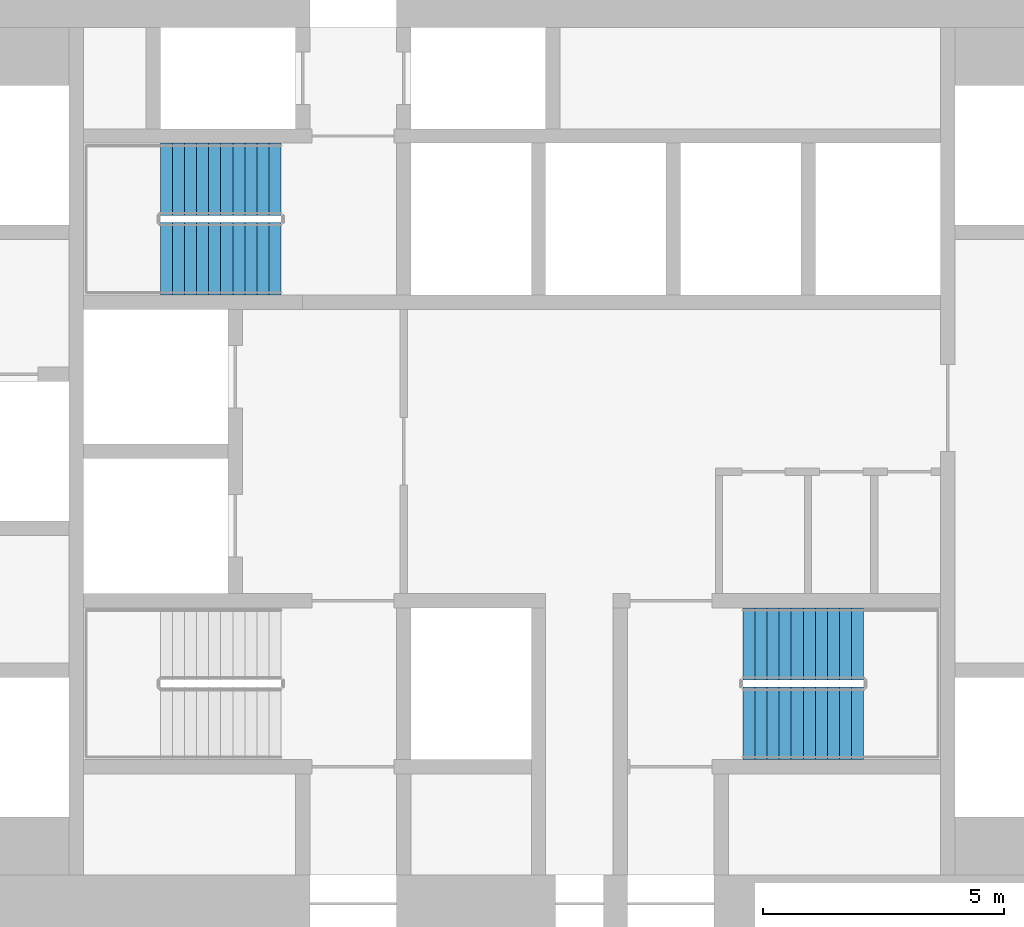
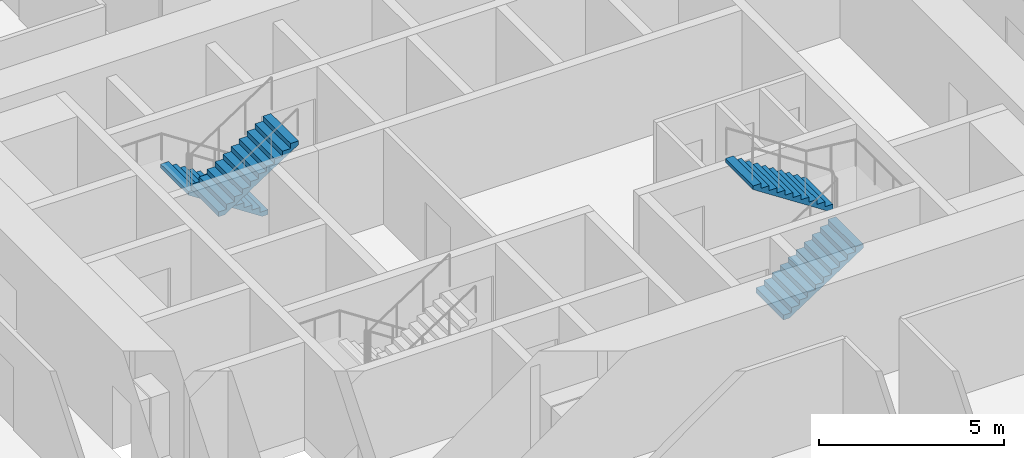
# One storey, part 11 of 12: 4 stair flights, 2 elements without a shape of their own.
"""IFC4 building model written with IfcOpenShell, lengths in metres."""

from ifc_helpers import new_model, si_unit, direction, frame, origin, place, context, subcontext, project, spatial, polyline, outline, extrude, material, type_object, element, aggregate, save


model = new_model("IFC4")

# Units and contexts
model_context = context("Model", 3, precision=1e-05, world=origin(), true_north=direction((0.0, 1.0)))
body_context = subcontext(model_context, "Body", "Model", "MODEL_VIEW")
ifc_project = project(units=[si_unit("LENGTHUNIT", "METRE"), si_unit("AREAUNIT", "SQUARE_METRE"), si_unit("VOLUMEUNIT", "CUBIC_METRE"), si_unit("PLANEANGLEUNIT", "RADIAN"), si_unit("MASSUNIT", "GRAM", prefix="KILO")], contexts=[model_context])

# Site, building, storey
site_placement = place(None, origin())
site = spatial("IfcSite", under=ifc_project, at=site_placement, CompositionType="ELEMENT")
building_placement = place(site_placement, origin())
building = spatial("IfcBuilding", under=site, at=building_placement, Name="Tracery Tower", CompositionType="ELEMENT")
storey_placement = place(building_placement, frame((0.0, 0.0, 82.199951171875)))
storey = spatial("IfcBuildingStorey", under=building, at=storey_placement, Name="L20", CompositionType="ELEMENT", Elevation=82.199951171875)

# Stair, stair flights
ifc_material_1 = material(Name="Concrete C32/40", Category="concrete")
stair_type = type_object("IfcStairType", Name="Core stair 22 risers", PredefinedType="HALF_TURN_STAIR", material=ifc_material_1)
stair_1_placement = place(storey_placement, origin())
stair_1 = element("IfcStair", 1, at=stair_1_placement, inside=storey, type_object=stair_type, Name="L20 stair ST3", PredefinedType="HALF_TURN_STAIR")
ifc_material_2 = material(Name="Concrete C32/40", Category="concrete")
stair_flight_type = type_object("IfcStairFlightType", Name="Core stair flight 11 risers", PredefinedType="STRAIGHT", material=ifc_material_2)
stair_flight_1_placement = place(storey_placement, frame((-4.800048828125, 5.64990234375, 0.0), z_axis=(0.0, 0.0, 1.0), x_axis=(-1.0, 0.0, 0.0)))
stair_flight_1 = element("IfcStairFlight", 2, at=stair_flight_1_placement, type_object=stair_flight_type, Name="ST3 flight 1", NumberOfRisers=11, NumberOfTreads=10, PredefinedType="STRAIGHT", RiserHeight=0.163636364, TreadLength=0.25, context=body_context, shape_type="SweptSolid", body=[
    extrude(outline(polyline([(0.0, 0.0), (0.0, 0.002685546875), (0.0, 0.00537109375), (0.0, 0.008056640625), (0.0, 0.0107421875), (0.0, 0.013427734375), (0.0, 0.01611328125), (0.0, 0.018798828125), (0.0, 0.021484375), (0.0, 0.024169921875), (0.0, 0.02685546875), (0.0, 0.029541015625), (0.0, 0.0322265625), (0.0, 0.034912109375), (0.0, 0.03759765625), (0.0, 0.040283203125), (0.0, 0.04296875), (0.0, 0.045654296875), (0.0, 0.04833984375), (0.0, 0.051025390625), (0.0, 0.0537109375), (0.0, 0.056396484375), (0.0, 0.05908203125), (0.0, 0.061767578125), (0.0, 0.064453125), (0.0, 0.067138671875), (0.0, 0.06982421875), (0.0, 0.072509765625), (0.0, 0.0751953125), (0.0, 0.077880859375), (0.0, 0.08056640625), (0.0, 0.083251953125), (0.0, 0.0859375), (0.0, 0.088623046875), (0.0, 0.09130859375), (0.0, 0.093994140625), (0.0, 0.0966796875), (0.0, 0.099365234375), (0.0, 0.10205078125), (0.0, 0.104736328125), (0.0, 0.107421875), (0.0, 0.10986328125), (0.0, 0.112548828125), (0.0, 0.115234375), (0.0, 0.117919921875), (0.0, 0.12060546875), (0.0, 0.123291015625), (0.0, 0.1259765625), (0.0, 0.128662109375), (0.0, 0.13134765625), (0.0, 0.134033203125), (0.0, 0.13671875), (0.0, 0.139404296875), (0.0, 0.14208984375), (0.0, 0.144775390625), (0.0, 0.1474609375), (0.0, 0.150146484375), (0.0, 0.15283203125), (0.0, 0.155517578125), (0.0, 0.158203125), (0.0, 0.160888671875), (0.0, 0.16357421875), (0.25, 0.16357421875), (0.25, 0.327392578125), (0.5, 0.327392578125), (0.5, 0.490966796875), (0.75, 0.490966796875), (0.75, 0.654541015625), (1.0, 0.654541015625), (1.0, 0.818115234375), (1.25, 0.818115234375), (1.25, 0.98193359375), (1.5, 0.98193359375), (1.5, 1.1455078125), (1.75, 1.1455078125), (1.75, 1.30908203125), (2.0, 1.30908203125), (2.0, 1.47265625), (2.25, 1.47265625), (2.25, 1.636474609375), (2.5, 1.636474609375), (2.5, 1.634521484375), (2.5, 1.63232421875), (2.5, 1.63037109375), (2.5, 1.62841796875), (2.5, 1.62646484375), (2.5, 1.62451171875), (2.5, 1.62255859375), (2.5, 1.62060546875), (2.5, 1.61865234375), (2.5, 1.61669921875), (2.5, 1.61474609375), (2.5, 1.61279296875), (2.5, 1.61083984375), (2.5, 1.60888671875), (2.5, 1.60693359375), (2.5, 1.60498046875), (2.5, 1.60302734375), (2.5, 1.60107421875), (2.5, 1.59912109375), (2.5, 1.59716796875), (2.5, 1.59521484375), (2.5, 1.59326171875), (2.5, 1.59130859375), (2.5, 1.58935546875), (2.5, 1.58740234375), (2.5, 1.58544921875), (2.5, 1.58349609375), (2.5, 1.58154296875), (2.5, 1.57958984375), (2.5, 1.57763671875), (2.5, 1.57568359375), (2.5, 1.573486328125), (2.5, 1.571533203125), (2.5, 1.569580078125), (2.5, 1.567626953125), (2.5, 1.565673828125), (2.5, 1.563720703125), (2.5, 1.561767578125), (2.5, 1.559814453125), (2.5, 1.557861328125), (2.5, 1.555908203125), (2.5, 1.553955078125), (2.5, 1.552001953125), (2.5, 1.550048828125), (2.5, 1.548095703125), (2.5, 1.546142578125), (2.5, 1.544189453125), (2.5, 1.542236328125), (2.5, 1.540283203125), (2.5, 1.538330078125), (2.5, 1.536376953125), (2.5, 1.534423828125), (2.5, 1.532470703125), (2.5, 1.530517578125), (2.5, 1.528564453125), (2.5, 1.526611328125), (2.5, 1.524658203125), (2.5, 1.522705078125), (2.5, 1.520751953125), (2.5, 1.518798828125), (2.5, 1.516845703125), (0.182861328125, 0.0), (0.0, 0.0)])), frame((0.0, 0.75, 0.0), z_axis=(0.0, -1.0, 0.0), x_axis=(1.0, 0.0, 0.0)), (0.0, 0.0, 1.0), 1.5),
])
stair_flight_2_placement = place(storey_placement, frame((-7.300048828125, 4.0, 1.800048828125), z_axis=(0.0, 0.0, 1.0), x_axis=(1.0, 0.0, 0.0)))
stair_flight_2 = element("IfcStairFlight", 3, at=stair_flight_2_placement, type_object=stair_flight_type, Name="ST3 flight 2", NumberOfRisers=11, NumberOfTreads=10, PredefinedType="STRAIGHT", RiserHeight=0.163636364, TreadLength=0.25, context=body_context, shape_type="SweptSolid", body=[
    extrude(outline(polyline([(0.0, 0.0), (0.0, 0.002685546875), (0.0, 0.00537109375), (0.0, 0.008056640625), (0.0, 0.0107421875), (0.0, 0.013427734375), (0.0, 0.01611328125), (0.0, 0.018798828125), (0.0, 0.021484375), (0.0, 0.024169921875), (0.0, 0.02685546875), (0.0, 0.029541015625), (0.0, 0.0322265625), (0.0, 0.034912109375), (0.0, 0.03759765625), (0.0, 0.040283203125), (0.0, 0.04296875), (0.0, 0.045654296875), (0.0, 0.04833984375), (0.0, 0.051025390625), (0.0, 0.0537109375), (0.0, 0.056396484375), (0.0, 0.05908203125), (0.0, 0.061767578125), (0.0, 0.064453125), (0.0, 0.067138671875), (0.0, 0.06982421875), (0.0, 0.072509765625), (0.0, 0.0751953125), (0.0, 0.077880859375), (0.0, 0.08056640625), (0.0, 0.083251953125), (0.0, 0.0859375), (0.0, 0.088623046875), (0.0, 0.09130859375), (0.0, 0.093994140625), (0.0, 0.0966796875), (0.0, 0.099365234375), (0.0, 0.10205078125), (0.0, 0.104736328125), (0.0, 0.107421875), (0.0, 0.10986328125), (0.0, 0.112548828125), (0.0, 0.115234375), (0.0, 0.117919921875), (0.0, 0.12060546875), (0.0, 0.123291015625), (0.0, 0.1259765625), (0.0, 0.128662109375), (0.0, 0.13134765625), (0.0, 0.134033203125), (0.0, 0.13671875), (0.0, 0.139404296875), (0.0, 0.14208984375), (0.0, 0.144775390625), (0.0, 0.1474609375), (0.0, 0.150146484375), (0.0, 0.15283203125), (0.0, 0.155517578125), (0.0, 0.158203125), (0.0, 0.160888671875), (0.0, 0.16357421875), (0.25, 0.16357421875), (0.25, 0.327392578125), (0.5, 0.327392578125), (0.5, 0.490966796875), (0.75, 0.490966796875), (0.75, 0.654541015625), (1.0, 0.654541015625), (1.0, 0.818115234375), (1.25, 0.818115234375), (1.25, 0.98193359375), (1.5, 0.98193359375), (1.5, 1.1455078125), (1.75, 1.1455078125), (1.75, 1.30908203125), (2.0, 1.30908203125), (2.0, 1.47265625), (2.25, 1.47265625), (2.25, 1.636474609375), (2.5, 1.636474609375), (2.5, 1.634521484375), (2.5, 1.63232421875), (2.5, 1.63037109375), (2.5, 1.62841796875), (2.5, 1.62646484375), (2.5, 1.62451171875), (2.5, 1.62255859375), (2.5, 1.62060546875), (2.5, 1.61865234375), (2.5, 1.61669921875), (2.5, 1.61474609375), (2.5, 1.61279296875), (2.5, 1.61083984375), (2.5, 1.60888671875), (2.5, 1.60693359375), (2.5, 1.60498046875), (2.5, 1.60302734375), (2.5, 1.60107421875), (2.5, 1.59912109375), (2.5, 1.59716796875), (2.5, 1.59521484375), (2.5, 1.59326171875), (2.5, 1.59130859375), (2.5, 1.58935546875), (2.5, 1.58740234375), (2.5, 1.58544921875), (2.5, 1.58349609375), (2.5, 1.58154296875), (2.5, 1.57958984375), (2.5, 1.57763671875), (2.5, 1.57568359375), (2.5, 1.573486328125), (2.5, 1.571533203125), (2.5, 1.569580078125), (2.5, 1.567626953125), (2.5, 1.565673828125), (2.5, 1.563720703125), (2.5, 1.561767578125), (2.5, 1.559814453125), (2.5, 1.557861328125), (2.5, 1.555908203125), (2.5, 1.553955078125), (2.5, 1.552001953125), (2.5, 1.550048828125), (2.5, 1.548095703125), (2.5, 1.546142578125), (2.5, 1.544189453125), (2.5, 1.542236328125), (2.5, 1.540283203125), (2.5, 1.538330078125), (2.5, 1.536376953125), (2.5, 1.534423828125), (2.5, 1.532470703125), (2.5, 1.530517578125), (2.5, 1.528564453125), (2.5, 1.526611328125), (2.5, 1.524658203125), (2.5, 1.522705078125), (2.5, 1.520751953125), (2.5, 1.518798828125), (2.5, 1.516845703125), (0.182861328125, 0.0), (0.0, 0.0)])), frame((0.0, 0.75, 0.0), z_axis=(0.0, -1.0, 0.0), x_axis=(1.0, 0.0, 0.0)), (0.0, 0.0, 1.0), 1.5),
])
aggregate(stair_1, [stair_flight_1, stair_flight_2])

stair_2_placement = place(storey_placement, origin())
stair_2 = element("IfcStair", 4, at=stair_2_placement, inside=storey, type_object=stair_type, Name="L20 stair ST2", PredefinedType="HALF_TURN_STAIR")
stair_flight_3_placement = place(storey_placement, frame((4.800048828125, -5.64990234375, 0.0), z_axis=(0.0, 0.0, 1.0), x_axis=(1.0, 0.0, 0.0)))
stair_flight_3 = element("IfcStairFlight", 5, at=stair_flight_3_placement, type_object=stair_flight_type, Name="ST2 flight 1", NumberOfRisers=11, NumberOfTreads=10, PredefinedType="STRAIGHT", RiserHeight=0.163636364, TreadLength=0.25, context=body_context, shape_type="SweptSolid", body=[
    extrude(outline(polyline([(0.0, 0.0), (0.0, 0.002685546875), (0.0, 0.00537109375), (0.0, 0.008056640625), (0.0, 0.0107421875), (0.0, 0.013427734375), (0.0, 0.01611328125), (0.0, 0.018798828125), (0.0, 0.021484375), (0.0, 0.024169921875), (0.0, 0.02685546875), (0.0, 0.029541015625), (0.0, 0.0322265625), (0.0, 0.034912109375), (0.0, 0.03759765625), (0.0, 0.040283203125), (0.0, 0.04296875), (0.0, 0.045654296875), (0.0, 0.04833984375), (0.0, 0.051025390625), (0.0, 0.0537109375), (0.0, 0.056396484375), (0.0, 0.05908203125), (0.0, 0.061767578125), (0.0, 0.064453125), (0.0, 0.067138671875), (0.0, 0.06982421875), (0.0, 0.072509765625), (0.0, 0.0751953125), (0.0, 0.077880859375), (0.0, 0.08056640625), (0.0, 0.083251953125), (0.0, 0.0859375), (0.0, 0.088623046875), (0.0, 0.09130859375), (0.0, 0.093994140625), (0.0, 0.0966796875), (0.0, 0.099365234375), (0.0, 0.10205078125), (0.0, 0.104736328125), (0.0, 0.107421875), (0.0, 0.10986328125), (0.0, 0.112548828125), (0.0, 0.115234375), (0.0, 0.117919921875), (0.0, 0.12060546875), (0.0, 0.123291015625), (0.0, 0.1259765625), (0.0, 0.128662109375), (0.0, 0.13134765625), (0.0, 0.134033203125), (0.0, 0.13671875), (0.0, 0.139404296875), (0.0, 0.14208984375), (0.0, 0.144775390625), (0.0, 0.1474609375), (0.0, 0.150146484375), (0.0, 0.15283203125), (0.0, 0.155517578125), (0.0, 0.158203125), (0.0, 0.160888671875), (0.0, 0.16357421875), (0.25, 0.16357421875), (0.25, 0.327392578125), (0.5, 0.327392578125), (0.5, 0.490966796875), (0.75, 0.490966796875), (0.75, 0.654541015625), (1.0, 0.654541015625), (1.0, 0.818115234375), (1.25, 0.818115234375), (1.25, 0.98193359375), (1.5, 0.98193359375), (1.5, 1.1455078125), (1.75, 1.1455078125), (1.75, 1.30908203125), (2.0, 1.30908203125), (2.0, 1.47265625), (2.25, 1.47265625), (2.25, 1.636474609375), (2.5, 1.636474609375), (2.5, 1.634521484375), (2.5, 1.63232421875), (2.5, 1.63037109375), (2.5, 1.62841796875), (2.5, 1.62646484375), (2.5, 1.62451171875), (2.5, 1.62255859375), (2.5, 1.62060546875), (2.5, 1.61865234375), (2.5, 1.61669921875), (2.5, 1.61474609375), (2.5, 1.61279296875), (2.5, 1.61083984375), (2.5, 1.60888671875), (2.5, 1.60693359375), (2.5, 1.60498046875), (2.5, 1.60302734375), (2.5, 1.60107421875), (2.5, 1.59912109375), (2.5, 1.59716796875), (2.5, 1.59521484375), (2.5, 1.59326171875), (2.5, 1.59130859375), (2.5, 1.58935546875), (2.5, 1.58740234375), (2.5, 1.58544921875), (2.5, 1.58349609375), (2.5, 1.58154296875), (2.5, 1.57958984375), (2.5, 1.57763671875), (2.5, 1.57568359375), (2.5, 1.573486328125), (2.5, 1.571533203125), (2.5, 1.569580078125), (2.5, 1.567626953125), (2.5, 1.565673828125), (2.5, 1.563720703125), (2.5, 1.561767578125), (2.5, 1.559814453125), (2.5, 1.557861328125), (2.5, 1.555908203125), (2.5, 1.553955078125), (2.5, 1.552001953125), (2.5, 1.550048828125), (2.5, 1.548095703125), (2.5, 1.546142578125), (2.5, 1.544189453125), (2.5, 1.542236328125), (2.5, 1.540283203125), (2.5, 1.538330078125), (2.5, 1.536376953125), (2.5, 1.534423828125), (2.5, 1.532470703125), (2.5, 1.530517578125), (2.5, 1.528564453125), (2.5, 1.526611328125), (2.5, 1.524658203125), (2.5, 1.522705078125), (2.5, 1.520751953125), (2.5, 1.518798828125), (2.5, 1.516845703125), (0.182861328125, 0.0), (0.0, 0.0)])), frame((0.0, 0.75, 0.0), z_axis=(0.0, -1.0, 0.0), x_axis=(1.0, 0.0, 0.0)), (0.0, 0.0, 1.0), 1.5),
])
stair_flight_4_placement = place(storey_placement, frame((7.300048828125, -4.0, 1.800048828125), z_axis=(0.0, 0.0, 1.0), x_axis=(-1.0, 0.0, 0.0)))
stair_flight_4 = element("IfcStairFlight", 6, at=stair_flight_4_placement, type_object=stair_flight_type, Name="ST2 flight 2", NumberOfRisers=11, NumberOfTreads=10, PredefinedType="STRAIGHT", RiserHeight=0.163636364, TreadLength=0.25, context=body_context, shape_type="SweptSolid", body=[
    extrude(outline(polyline([(0.0, 0.0), (0.0, 0.002685546875), (0.0, 0.00537109375), (0.0, 0.008056640625), (0.0, 0.0107421875), (0.0, 0.013427734375), (0.0, 0.01611328125), (0.0, 0.018798828125), (0.0, 0.021484375), (0.0, 0.024169921875), (0.0, 0.02685546875), (0.0, 0.029541015625), (0.0, 0.0322265625), (0.0, 0.034912109375), (0.0, 0.03759765625), (0.0, 0.040283203125), (0.0, 0.04296875), (0.0, 0.045654296875), (0.0, 0.04833984375), (0.0, 0.051025390625), (0.0, 0.0537109375), (0.0, 0.056396484375), (0.0, 0.05908203125), (0.0, 0.061767578125), (0.0, 0.064453125), (0.0, 0.067138671875), (0.0, 0.06982421875), (0.0, 0.072509765625), (0.0, 0.0751953125), (0.0, 0.077880859375), (0.0, 0.08056640625), (0.0, 0.083251953125), (0.0, 0.0859375), (0.0, 0.088623046875), (0.0, 0.09130859375), (0.0, 0.093994140625), (0.0, 0.0966796875), (0.0, 0.099365234375), (0.0, 0.10205078125), (0.0, 0.104736328125), (0.0, 0.107421875), (0.0, 0.10986328125), (0.0, 0.112548828125), (0.0, 0.115234375), (0.0, 0.117919921875), (0.0, 0.12060546875), (0.0, 0.123291015625), (0.0, 0.1259765625), (0.0, 0.128662109375), (0.0, 0.13134765625), (0.0, 0.134033203125), (0.0, 0.13671875), (0.0, 0.139404296875), (0.0, 0.14208984375), (0.0, 0.144775390625), (0.0, 0.1474609375), (0.0, 0.150146484375), (0.0, 0.15283203125), (0.0, 0.155517578125), (0.0, 0.158203125), (0.0, 0.160888671875), (0.0, 0.16357421875), (0.25, 0.16357421875), (0.25, 0.327392578125), (0.5, 0.327392578125), (0.5, 0.490966796875), (0.75, 0.490966796875), (0.75, 0.654541015625), (1.0, 0.654541015625), (1.0, 0.818115234375), (1.25, 0.818115234375), (1.25, 0.98193359375), (1.5, 0.98193359375), (1.5, 1.1455078125), (1.75, 1.1455078125), (1.75, 1.30908203125), (2.0, 1.30908203125), (2.0, 1.47265625), (2.25, 1.47265625), (2.25, 1.636474609375), (2.5, 1.636474609375), (2.5, 1.634521484375), (2.5, 1.63232421875), (2.5, 1.63037109375), (2.5, 1.62841796875), (2.5, 1.62646484375), (2.5, 1.62451171875), (2.5, 1.62255859375), (2.5, 1.62060546875), (2.5, 1.61865234375), (2.5, 1.61669921875), (2.5, 1.61474609375), (2.5, 1.61279296875), (2.5, 1.61083984375), (2.5, 1.60888671875), (2.5, 1.60693359375), (2.5, 1.60498046875), (2.5, 1.60302734375), (2.5, 1.60107421875), (2.5, 1.59912109375), (2.5, 1.59716796875), (2.5, 1.59521484375), (2.5, 1.59326171875), (2.5, 1.59130859375), (2.5, 1.58935546875), (2.5, 1.58740234375), (2.5, 1.58544921875), (2.5, 1.58349609375), (2.5, 1.58154296875), (2.5, 1.57958984375), (2.5, 1.57763671875), (2.5, 1.57568359375), (2.5, 1.573486328125), (2.5, 1.571533203125), (2.5, 1.569580078125), (2.5, 1.567626953125), (2.5, 1.565673828125), (2.5, 1.563720703125), (2.5, 1.561767578125), (2.5, 1.559814453125), (2.5, 1.557861328125), (2.5, 1.555908203125), (2.5, 1.553955078125), (2.5, 1.552001953125), (2.5, 1.550048828125), (2.5, 1.548095703125), (2.5, 1.546142578125), (2.5, 1.544189453125), (2.5, 1.542236328125), (2.5, 1.540283203125), (2.5, 1.538330078125), (2.5, 1.536376953125), (2.5, 1.534423828125), (2.5, 1.532470703125), (2.5, 1.530517578125), (2.5, 1.528564453125), (2.5, 1.526611328125), (2.5, 1.524658203125), (2.5, 1.522705078125), (2.5, 1.520751953125), (2.5, 1.518798828125), (2.5, 1.516845703125), (0.182861328125, 0.0), (0.0, 0.0)])), frame((0.0, 0.75, 0.0), z_axis=(0.0, -1.0, 0.0), x_axis=(1.0, 0.0, 0.0)), (0.0, 0.0, 1.0), 1.5),
])
aggregate(stair_2, [stair_flight_3, stair_flight_4])

save(model, "model.ifc")
